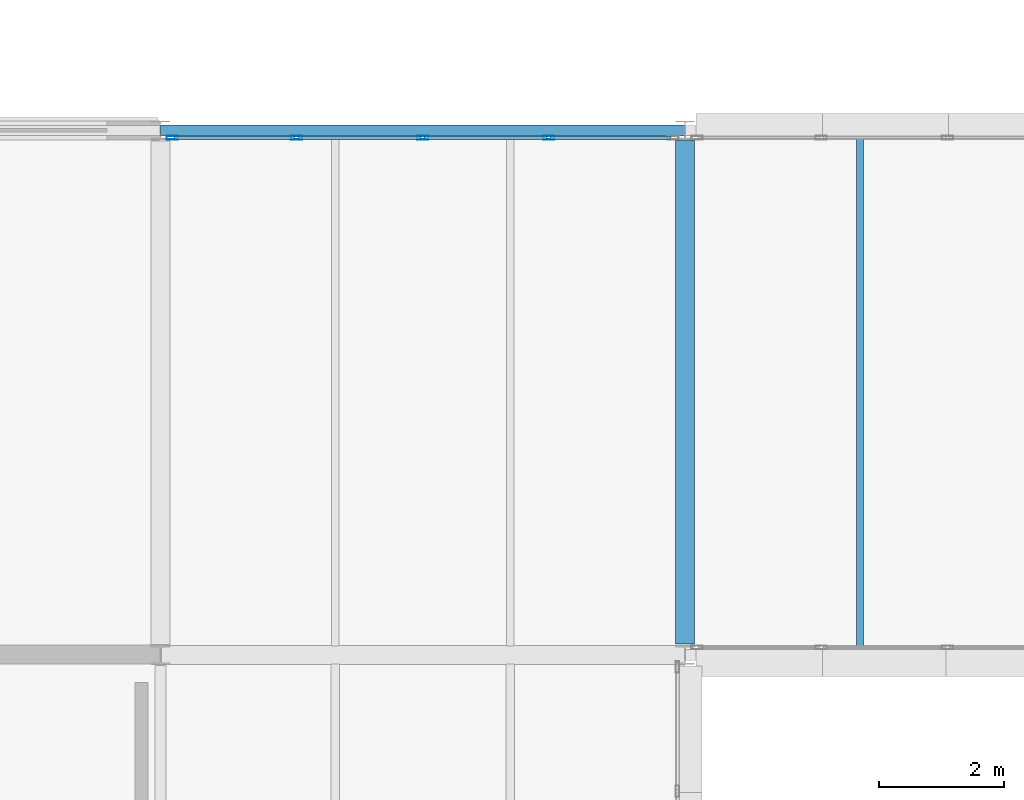
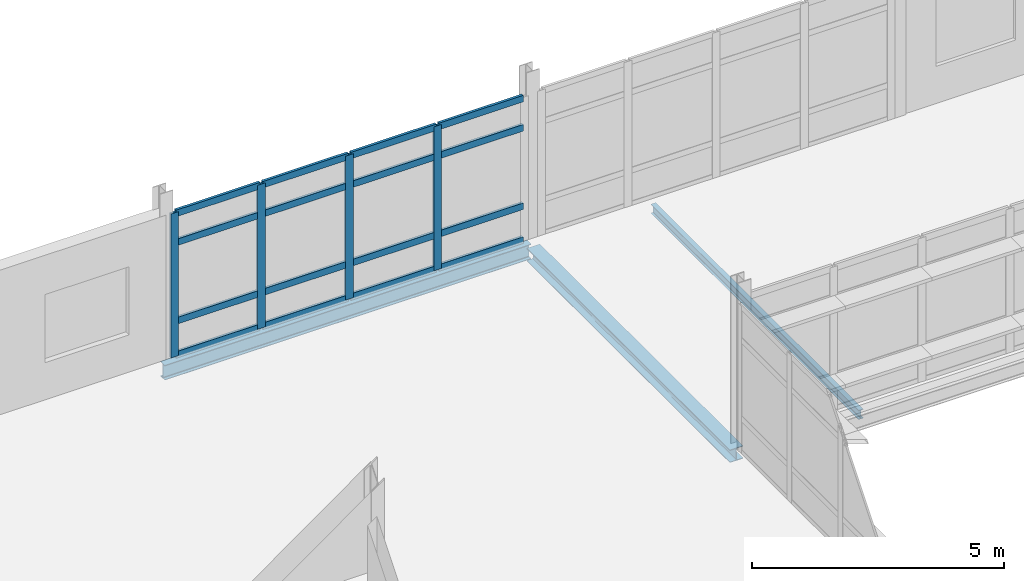
# One storey, part 19 of 103: 20 members, 3 beams, 1 element without a shape of its own.
"""IFC4 building model written with IfcOpenShell, lengths in metres."""

from ifc_helpers import new_model, si_unit, direction, frame, origin, origin_2d, place, context, subcontext, project, spatial, hollow_rectangle, i_section, extrude, material, material_profile, profile_set, type_object, element, aggregate, save


model = new_model("IFC4")

# Units and contexts
model_context = context("Model", 3, precision=1e-05, world=origin(), true_north=direction((0.0, 1.0)))
body_context = subcontext(model_context, "Body", "Model", "MODEL_VIEW")
ifc_project = project(units=[si_unit("LENGTHUNIT", "METRE"), si_unit("AREAUNIT", "SQUARE_METRE"), si_unit("VOLUMEUNIT", "CUBIC_METRE"), si_unit("PLANEANGLEUNIT", "RADIAN"), si_unit("MASSUNIT", "GRAM", prefix="KILO")], contexts=[model_context])

# Site, building, storey
site_placement = place(None, origin())
site = spatial("IfcSite", under=ifc_project, at=site_placement, CompositionType="ELEMENT")
building_placement = place(site_placement, origin())
building = spatial("IfcBuilding", under=site, at=building_placement, Name="Mersafa Astral City Hall", CompositionType="ELEMENT")
storey_placement = place(building_placement, frame((0.0, 0.0, 18.0)))
storey = spatial("IfcBuildingStorey", under=building, at=storey_placement, Name="L04", CompositionType="ELEMENT", Elevation=18.0)

# Curtain wall, members
ifc_material_1 = material(Name="Anodised bronze aluminium framing", Category="aluminium")
curtain_wall_type = type_object("IfcCurtainWallType", Name="ENV-CW-1", PredefinedType="USERDEFINED", material=ifc_material_1)
curtain_wall_placement = place(storey_placement, origin())
curtain_wall = element("IfcCurtainWall", 1, at=curtain_wall_placement, inside=storey, type_object=curtain_wall_type, Name="L04 Unitised solar curtain wall 198", ObjectType="UNITISED CURTAIN WALL", PredefinedType="USERDEFINED")
ifc_material_profile_1 = material_profile(ifc_material_1, hollow_rectangle(XDim=0.06005859375, YDim=0.179931640625, WallThickness=0.00390625, at=origin_2d()), Name="RHS 60x180x4")
ifc_profile_set_1 = profile_set([ifc_material_profile_1], Name="Anodised bronze aluminium framing")
member_type_1 = type_object("IfcMemberType", Name="ENV-CW-MUL-1", PredefinedType="MULLION", material=ifc_profile_set_1)
member_1_placement = place(storey_placement, frame((23.01904296875, 100.679931640625, -0.001953125), z_axis=(0.0, 0.0, 1.0), x_axis=(0.0, -1.0, 0.0)))
member_1 = element("IfcMember", 2, at=member_1_placement, type_object=member_type_1, Name="CW-1 mullion 2", PredefinedType="MULLION", context=body_context, shape_type="SweptSolid", body=[
    extrude(hollow_rectangle(XDim=0.06005859375, YDim=0.179931640625, WallThickness=0.00390625, at=origin_2d()), origin(), (0.0, 0.0, 1.0), 3.489013671875),
])
member_2_placement = place(storey_placement, frame((21.0, 100.679931640625, -0.001953125), z_axis=(0.0, 0.0, 1.0), x_axis=(0.0, -1.0, 0.0)))
member_2 = element("IfcMember", 3, at=member_2_placement, type_object=member_type_1, Name="CW-1 mullion 3", PredefinedType="MULLION", context=body_context, shape_type="SweptSolid", body=[
    extrude(hollow_rectangle(XDim=0.06005859375, YDim=0.179931640625, WallThickness=0.00390625, at=origin_2d()), origin(), (0.0, 0.0, 1.0), 3.489013671875),
])
member_3_placement = place(storey_placement, frame((18.98095703125, 100.679931640625, -0.001953125), z_axis=(0.0, 0.0, 1.0), x_axis=(0.0, -1.0, 0.0)))
member_3 = element("IfcMember", 4, at=member_3_placement, type_object=member_type_1, Name="CW-1 mullion 4", PredefinedType="MULLION", context=body_context, shape_type="SweptSolid", body=[
    extrude(hollow_rectangle(XDim=0.06005859375, YDim=0.179931640625, WallThickness=0.00390625, at=origin_2d()), origin(), (0.0, 0.0, 1.0), 3.489013671875),
])
member_4_placement = place(storey_placement, frame((16.991943359375, 100.679931640625, -0.001953125), z_axis=(0.0, 0.0, 1.0), x_axis=(0.0, -1.0, 0.0)))
member_4 = element("IfcMember", 5, at=member_4_placement, type_object=member_type_1, Name="CW-1 mullion 5", PredefinedType="MULLION", context=body_context, shape_type="SweptSolid", body=[
    extrude(hollow_rectangle(XDim=0.06005859375, YDim=0.179931640625, WallThickness=0.00390625, at=origin_2d()), origin(), (0.0, 0.0, 1.0), 3.489013671875),
])
ifc_material_profile_2 = material_profile(ifc_material_1, hollow_rectangle(XDim=0.06005859375, YDim=0.159912109375, WallThickness=0.00390625, at=origin_2d()), Name="RHS 60x160x4")
ifc_profile_set_2 = profile_set([ifc_material_profile_2], Name="Anodised bronze aluminium framing")
member_type_2 = type_object("IfcMemberType", Name="ENV-CW-TRN-2", PredefinedType="USERDEFINED", material=ifc_profile_set_2)
member_5_placement = place(storey_placement, frame((24.97802734375, 100.679931640625, 0.028076171875), z_axis=(-1.0, 0.0, 0.0), x_axis=(0.0, -1.0, 0.0)))
member_5 = element("IfcMember", 6, at=member_5_placement, type_object=member_type_2, Name="CW-1 transom 1.1", ObjectType="TRANSOM", PredefinedType="USERDEFINED", context=body_context, shape_type="SweptSolid", body=[
    extrude(hollow_rectangle(XDim=0.06005859375, YDim=0.159912109375, WallThickness=0.00390625, at=origin_2d()), origin(), (0.0, 0.0, 1.0), 1.928955078125),
])
member_6_placement = place(storey_placement, frame((24.97802734375, 100.679931640625, 0.85009765625), z_axis=(-1.0, 0.0, 0.0), x_axis=(0.0, -1.0, 0.0)))
member_6 = element("IfcMember", 7, at=member_6_placement, type_object=member_type_2, Name="CW-1 transom 1.2", ObjectType="TRANSOM", PredefinedType="USERDEFINED", context=body_context, shape_type="SweptSolid", body=[
    extrude(hollow_rectangle(XDim=0.06005859375, YDim=0.159912109375, WallThickness=0.00390625, at=origin_2d()), origin(), (0.0, 0.0, 1.0), 1.928955078125),
])
member_7_placement = place(storey_placement, frame((24.97802734375, 100.679931640625, 2.75), z_axis=(-1.0, 0.0, 0.0), x_axis=(0.0, -1.0, 0.0)))
member_7 = element("IfcMember", 8, at=member_7_placement, type_object=member_type_2, Name="CW-1 transom 1.3", ObjectType="TRANSOM", PredefinedType="USERDEFINED", context=body_context, shape_type="SweptSolid", body=[
    extrude(hollow_rectangle(XDim=0.06005859375, YDim=0.159912109375, WallThickness=0.00390625, at=origin_2d()), origin(), (0.0, 0.0, 1.0), 1.928955078125),
])
member_8_placement = place(storey_placement, frame((24.97802734375, 100.679931640625, 3.45703125), z_axis=(-1.0, 0.0, 0.0), x_axis=(0.0, -1.0, 0.0)))
member_8 = element("IfcMember", 9, at=member_8_placement, type_object=member_type_2, Name="CW-1 transom 1.4", ObjectType="TRANSOM", PredefinedType="USERDEFINED", context=body_context, shape_type="SweptSolid", body=[
    extrude(hollow_rectangle(XDim=0.06005859375, YDim=0.159912109375, WallThickness=0.00390625, at=origin_2d()), origin(), (0.0, 0.0, 1.0), 1.928955078125),
])
member_9_placement = place(storey_placement, frame((22.989013671875, 100.679931640625, 0.028076171875), z_axis=(-1.0, 0.0, 0.0), x_axis=(0.0, -1.0, 0.0)))
member_9 = element("IfcMember", 10, at=member_9_placement, type_object=member_type_2, Name="CW-1 transom 2.1", ObjectType="TRANSOM", PredefinedType="USERDEFINED", context=body_context, shape_type="SweptSolid", body=[
    extrude(hollow_rectangle(XDim=0.06005859375, YDim=0.159912109375, WallThickness=0.00390625, at=origin_2d()), origin(), (0.0, 0.0, 1.0), 1.958984375),
])
member_10_placement = place(storey_placement, frame((22.989013671875, 100.679931640625, 0.85009765625), z_axis=(-1.0, 0.0, 0.0), x_axis=(0.0, -1.0, 0.0)))
member_10 = element("IfcMember", 11, at=member_10_placement, type_object=member_type_2, Name="CW-1 transom 2.2", ObjectType="TRANSOM", PredefinedType="USERDEFINED", context=body_context, shape_type="SweptSolid", body=[
    extrude(hollow_rectangle(XDim=0.06005859375, YDim=0.159912109375, WallThickness=0.00390625, at=origin_2d()), origin(), (0.0, 0.0, 1.0), 1.958984375),
])
member_11_placement = place(storey_placement, frame((22.989013671875, 100.679931640625, 2.75), z_axis=(-1.0, 0.0, 0.0), x_axis=(0.0, -1.0, 0.0)))
member_11 = element("IfcMember", 12, at=member_11_placement, type_object=member_type_2, Name="CW-1 transom 2.3", ObjectType="TRANSOM", PredefinedType="USERDEFINED", context=body_context, shape_type="SweptSolid", body=[
    extrude(hollow_rectangle(XDim=0.06005859375, YDim=0.159912109375, WallThickness=0.00390625, at=origin_2d()), origin(), (0.0, 0.0, 1.0), 1.958984375),
])
member_12_placement = place(storey_placement, frame((22.989013671875, 100.679931640625, 3.45703125), z_axis=(-1.0, 0.0, 0.0), x_axis=(0.0, -1.0, 0.0)))
member_12 = element("IfcMember", 13, at=member_12_placement, type_object=member_type_2, Name="CW-1 transom 2.4", ObjectType="TRANSOM", PredefinedType="USERDEFINED", context=body_context, shape_type="SweptSolid", body=[
    extrude(hollow_rectangle(XDim=0.06005859375, YDim=0.159912109375, WallThickness=0.00390625, at=origin_2d()), origin(), (0.0, 0.0, 1.0), 1.958984375),
])
member_13_placement = place(storey_placement, frame((20.969970703125, 100.679931640625, 0.028076171875), z_axis=(-1.0, 0.0, 0.0), x_axis=(0.0, -1.0, 0.0)))
member_13 = element("IfcMember", 14, at=member_13_placement, type_object=member_type_2, Name="CW-1 transom 3.1", ObjectType="TRANSOM", PredefinedType="USERDEFINED", context=body_context, shape_type="SweptSolid", body=[
    extrude(hollow_rectangle(XDim=0.06005859375, YDim=0.159912109375, WallThickness=0.00390625, at=origin_2d()), origin(), (0.0, 0.0, 1.0), 1.958984375),
])
member_14_placement = place(storey_placement, frame((20.969970703125, 100.679931640625, 0.85009765625), z_axis=(-1.0, 0.0, 0.0), x_axis=(0.0, -1.0, 0.0)))
member_14 = element("IfcMember", 15, at=member_14_placement, type_object=member_type_2, Name="CW-1 transom 3.2", ObjectType="TRANSOM", PredefinedType="USERDEFINED", context=body_context, shape_type="SweptSolid", body=[
    extrude(hollow_rectangle(XDim=0.06005859375, YDim=0.159912109375, WallThickness=0.00390625, at=origin_2d()), origin(), (0.0, 0.0, 1.0), 1.958984375),
])
member_15_placement = place(storey_placement, frame((20.969970703125, 100.679931640625, 2.75), z_axis=(-1.0, 0.0, 0.0), x_axis=(0.0, -1.0, 0.0)))
member_15 = element("IfcMember", 16, at=member_15_placement, type_object=member_type_2, Name="CW-1 transom 3.3", ObjectType="TRANSOM", PredefinedType="USERDEFINED", context=body_context, shape_type="SweptSolid", body=[
    extrude(hollow_rectangle(XDim=0.06005859375, YDim=0.159912109375, WallThickness=0.00390625, at=origin_2d()), origin(), (0.0, 0.0, 1.0), 1.958984375),
])
member_16_placement = place(storey_placement, frame((20.969970703125, 100.679931640625, 3.45703125), z_axis=(-1.0, 0.0, 0.0), x_axis=(0.0, -1.0, 0.0)))
member_16 = element("IfcMember", 17, at=member_16_placement, type_object=member_type_2, Name="CW-1 transom 3.4", ObjectType="TRANSOM", PredefinedType="USERDEFINED", context=body_context, shape_type="SweptSolid", body=[
    extrude(hollow_rectangle(XDim=0.06005859375, YDim=0.159912109375, WallThickness=0.00390625, at=origin_2d()), origin(), (0.0, 0.0, 1.0), 1.958984375),
])
member_17_placement = place(storey_placement, frame((18.950927734375, 100.679931640625, 0.028076171875), z_axis=(-1.0, 0.0, 0.0), x_axis=(0.0, -1.0, 0.0)))
member_17 = element("IfcMember", 18, at=member_17_placement, type_object=member_type_2, Name="CW-1 transom 4.1", ObjectType="TRANSOM", PredefinedType="USERDEFINED", context=body_context, shape_type="SweptSolid", body=[
    extrude(hollow_rectangle(XDim=0.06005859375, YDim=0.159912109375, WallThickness=0.00390625, at=origin_2d()), origin(), (0.0, 0.0, 1.0), 1.928955078125),
])
member_18_placement = place(storey_placement, frame((18.950927734375, 100.679931640625, 0.85009765625), z_axis=(-1.0, 0.0, 0.0), x_axis=(0.0, -1.0, 0.0)))
member_18 = element("IfcMember", 19, at=member_18_placement, type_object=member_type_2, Name="CW-1 transom 4.2", ObjectType="TRANSOM", PredefinedType="USERDEFINED", context=body_context, shape_type="SweptSolid", body=[
    extrude(hollow_rectangle(XDim=0.06005859375, YDim=0.159912109375, WallThickness=0.00390625, at=origin_2d()), origin(), (0.0, 0.0, 1.0), 1.928955078125),
])
member_19_placement = place(storey_placement, frame((18.950927734375, 100.679931640625, 2.75), z_axis=(-1.0, 0.0, 0.0), x_axis=(0.0, -1.0, 0.0)))
member_19 = element("IfcMember", 20, at=member_19_placement, type_object=member_type_2, Name="CW-1 transom 4.3", ObjectType="TRANSOM", PredefinedType="USERDEFINED", context=body_context, shape_type="SweptSolid", body=[
    extrude(hollow_rectangle(XDim=0.06005859375, YDim=0.159912109375, WallThickness=0.00390625, at=origin_2d()), origin(), (0.0, 0.0, 1.0), 1.928955078125),
])
member_20_placement = place(storey_placement, frame((18.950927734375, 100.679931640625, 3.45703125), z_axis=(-1.0, 0.0, 0.0), x_axis=(0.0, -1.0, 0.0)))
member_20 = element("IfcMember", 21, at=member_20_placement, type_object=member_type_2, Name="CW-1 transom 4.4", ObjectType="TRANSOM", PredefinedType="USERDEFINED", context=body_context, shape_type="SweptSolid", body=[
    extrude(hollow_rectangle(XDim=0.06005859375, YDim=0.159912109375, WallThickness=0.00390625, at=origin_2d()), origin(), (0.0, 0.0, 1.0), 1.928955078125),
])
aggregate(curtain_wall, [member_1, member_2, member_3, member_4, member_5, member_6, member_7, member_8, member_9, member_10, member_11, member_12, member_13, member_14, member_15, member_16, member_17, member_18, member_19, member_20])

# Beams
ifc_material_2 = material(Name="Steel S355", Category="steel")
ifc_material_profile_3 = material_profile(ifc_material_2, i_section(OverallWidth=0.300048828125, OverallDepth=0.31005859375, WebThickness=0.009033203125, FlangeThickness=0.015380859375, FilletRadius=0.027099609375, at=origin_2d()), Name="HEA 320")
ifc_profile_set_3 = profile_set([ifc_material_profile_3], Name="Steel S355")
beam_type_1 = type_object("IfcBeamType", Name="STR-BM-HEA320", PredefinedType="BEAM", material=ifc_profile_set_3)
beam_1_placement = place(storey_placement, frame((25.199951171875, 92.574951171875, -0.340087890625), z_axis=(0.0, 1.0, 0.0), x_axis=(-1.0, 0.0, 0.0)))
element("IfcBeam", 22, at=beam_1_placement, inside=storey, type_object=beam_type_1, Name="L04 Primary girder Y 3-11", PredefinedType="BEAM", context=body_context, shape_type="SweptSolid", body=[
    extrude(i_section(OverallWidth=0.300048828125, OverallDepth=0.31005859375, WebThickness=0.009033203125, FlangeThickness=0.015380859375, FilletRadius=0.027099609375, at=origin_2d()), origin(), (0.0, 0.0, 1.0), 8.06005859375),
])
ifc_material_profile_4 = material_profile(ifc_material_2, i_section(OverallWidth=0.110107421875, OverallDepth=0.219970703125, WebThickness=0.005859375, FlangeThickness=0.00927734375, FilletRadius=0.011962890625, at=origin_2d()), Name="IPE 220")
ifc_profile_set_4 = profile_set([ifc_material_profile_4], Name="Steel S355")
beam_type_2 = type_object("IfcBeamType", Name="STR-BM-JOIST-IPE220", PredefinedType="JOIST", material=ifc_profile_set_4)
beam_2_placement = place(storey_placement, frame((28.0, 92.47998046875, -0.294921875), z_axis=(0.0, 1.0, 0.0), x_axis=(-1.0, 0.0, 0.0)))
element("IfcBeam", 23, at=beam_2_placement, inside=storey, type_object=beam_type_2, Name="L04 Composite secondary floor joist 690", PredefinedType="JOIST", context=body_context, shape_type="SweptSolid", body=[
    extrude(i_section(OverallWidth=0.110107421875, OverallDepth=0.219970703125, WebThickness=0.005859375, FlangeThickness=0.00927734375, FilletRadius=0.011962890625, at=origin_2d()), origin(), (0.0, 0.0, 1.0), 8.2451171875),
])
ifc_material_profile_5 = material_profile(ifc_material_2, i_section(OverallWidth=0.169921875, OverallDepth=0.360107421875, WebThickness=0.008056640625, FlangeThickness=0.0126953125, FilletRadius=0.01806640625, at=origin_2d()), Name="IPE 360")
ifc_profile_set_5 = profile_set([ifc_material_profile_5], Name="Steel S355")
beam_type_3 = type_object("IfcBeamType", Name="STR-BM-SPANDREL-IPE360", PredefinedType="SPANDREL", material=ifc_profile_set_5)
beam_3_placement = place(storey_placement, frame((16.802978515625, 100.800048828125, -0.364990234375), z_axis=(1.0, 0.0, 0.0), x_axis=(0.0, 1.0, 0.0)))
element("IfcBeam", 24, at=beam_3_placement, inside=storey, type_object=beam_type_3, Name="L04 Primary girder X 2-12", PredefinedType="SPANDREL", context=body_context, shape_type="SweptSolid", body=[
    extrude(i_section(OverallWidth=0.169921875, OverallDepth=0.360107421875, WebThickness=0.008056640625, FlangeThickness=0.0126953125, FilletRadius=0.01806640625, at=origin_2d()), origin(), (0.0, 0.0, 1.0), 8.39404296875),
])

save(model, "model.ifc")
